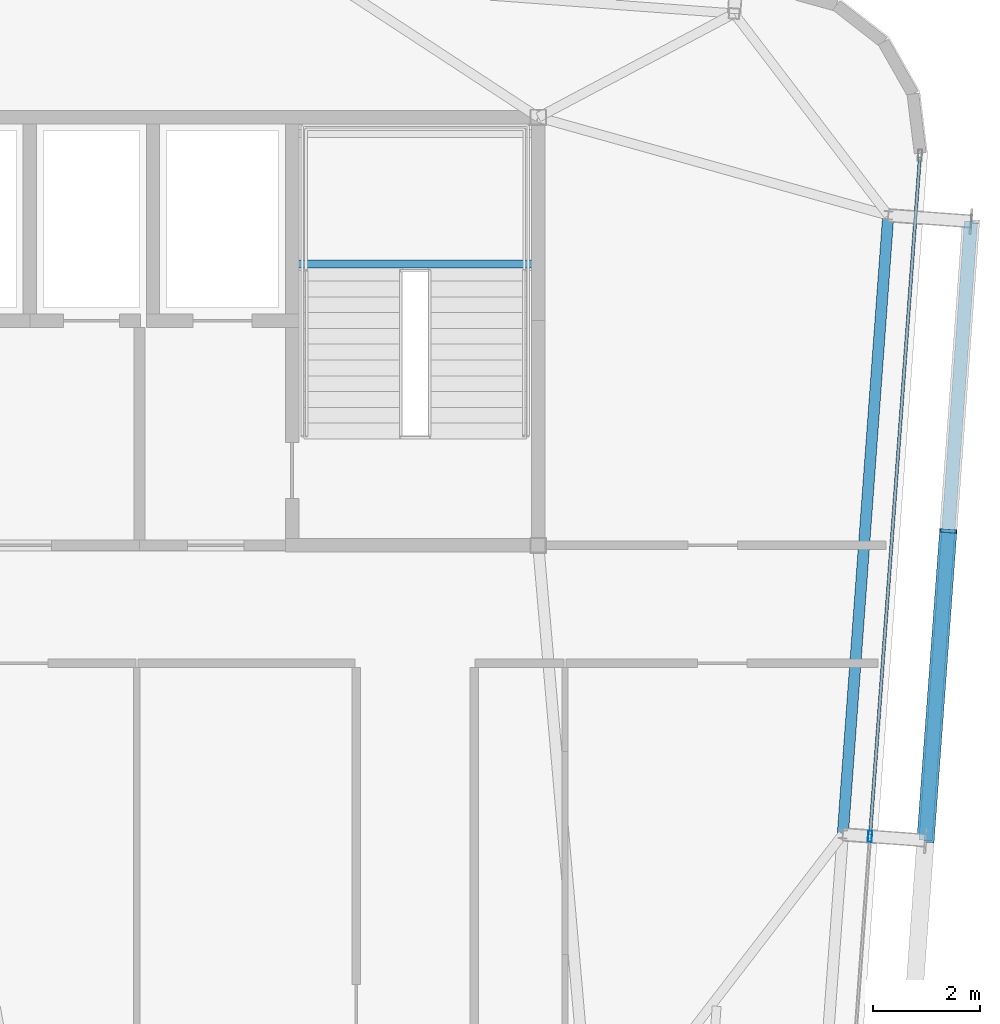
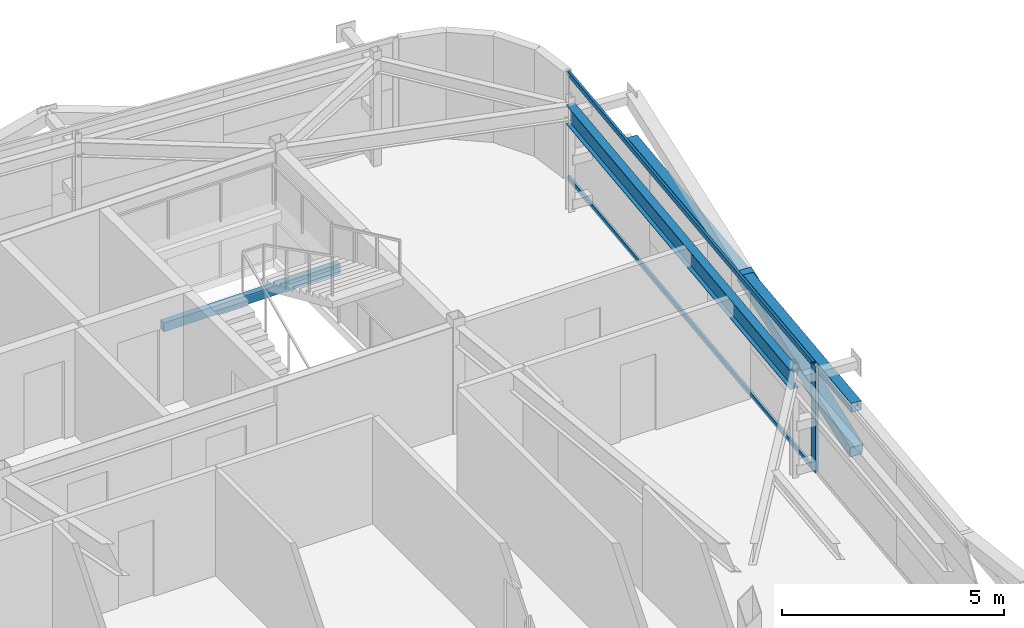
# One storey, part 17 of 34: 5 members, 2 beams, 1 element without a shape of its own.
"""IFC4 building model written with IfcOpenShell, lengths in metres."""

from ifc_helpers import new_model, si_unit, direction, frame, origin, origin_2d, place, context, subcontext, project, spatial, hollow_rectangle, i_section, extrude, source, transform, mapped, material, layer, layer_set, material_profile, profile_set, type_object, element, aggregate, save


model = new_model("IFC4")

# Units and contexts
model_context = context("Model", 3, precision=1e-05, world=origin(), true_north=direction((0.0, 1.0)))
body_context = subcontext(model_context, "Body", "Model", "MODEL_VIEW")
ifc_project = project(units=[si_unit("LENGTHUNIT", "METRE"), si_unit("AREAUNIT", "SQUARE_METRE"), si_unit("VOLUMEUNIT", "CUBIC_METRE"), si_unit("PLANEANGLEUNIT", "RADIAN"), si_unit("MASSUNIT", "GRAM", prefix="KILO")], contexts=[model_context])

# Site, building, storey
site_placement = place(None, origin())
site = spatial("IfcSite", under=ifc_project, at=site_placement, CompositionType="ELEMENT")
building_placement = place(site_placement, origin())
building = spatial("IfcBuilding", under=site, at=building_placement, Name="Taldren Reach Tower", CompositionType="ELEMENT")
storey_placement = place(building_placement, frame((0.0, 0.0, 239.75)))
storey = spatial("IfcBuildingStorey", under=building, at=storey_placement, Name="L73", CompositionType="ELEMENT", Elevation=239.75)

# Beam
ifc_material_1 = material(Name="Steel Gr 350 (350PLUS)", Category="steel")
ifc_material_profile_1 = material_profile(ifc_material_1, i_section(OverallWidth=0.208984375, OverallDepth=0.528076171875, WebThickness=0.009521484375, FlangeThickness=0.01318359375, at=origin_2d()), Name="530UB82.0")
ifc_profile_set_1 = profile_set([ifc_material_profile_1], Name="Steel Gr 350 (350PLUS)")
beam_type_1 = type_object("IfcBeamType", Name="SP-UB530B", PredefinedType="SPANDREL", material=ifc_profile_set_1)
shared_shape_1 = source(origin(), body_context, "Body", "SweptSolid", [
    extrude(i_section(OverallWidth=0.208984375, OverallDepth=0.528076171875, WebThickness=0.009521484375, FlangeThickness=0.01318359375, at=origin_2d()), origin(), (0.0, 0.0, 1.0), 11.60009765625),
])
beam_1_placement = place(storey_placement, frame((56.69140625, 18.599853515625, 2.666015625), z_axis=(0.073221234109, 0.997315722766, 0.0), x_axis=(-0.997315722766, 0.073221234109, 0.0)))
element("IfcBeam", 1, at=beam_1_placement, inside=storey, type_object=beam_type_1, Name="Perimeter spandrel B5 E2-E3 L73", PredefinedType="SPANDREL", context=body_context, shape_type="MappedRepresentation", body=[
    mapped(shared_shape_1, transform((0.0, 0.0, 0.0), scale=1.0)),
])

# Members
ifc_material_2 = material(Name="Steel Gr 450 (C450L0)", Category="steel")
ifc_material_profile_2 = material_profile(ifc_material_2, hollow_rectangle(XDim=0.324951171875, YDim=0.324951171875, WallThickness=0.0126953125, at=origin_2d()), Name="325x325x12.7SHS")
ifc_profile_set_2 = profile_set([ifc_material_profile_2], Name="Steel Gr 450 (C450L0)")
member_type_1 = type_object("IfcMemberType", Name="MB-BR324", PredefinedType="BRACE", material=ifc_profile_set_2)
shared_shape_2 = source(origin(), body_context, "Body", "SweptSolid", [
    extrude(hollow_rectangle(XDim=0.324951171875, YDim=0.324951171875, WallThickness=0.0126953125, at=origin_2d()), origin(), (0.0, 0.0, 1.0), 5.926025390625),
])
member_1_placement = place(storey_placement, frame((58.237060546875, 18.486328125, 0.219970703125), z_axis=(0.071685935393, 0.976123486939, 0.205046494513), x_axis=(-0.997314185625, 0.073242167855, 0.0)))
element("IfcMember", 2, at=member_1_placement, inside=storey, type_object=member_type_1, Name="Exoskeleton Diagrid Brace B5-E2 L73", PredefinedType="BRACE", context=body_context, shape_type="MappedRepresentation", body=[
    mapped(shared_shape_2, transform((0.0, 0.0, 0.0), scale=1.0)),
])
ifc_material_3 = material(Name="Steel Gr 350 (C350L0)", Category="steel")
ifc_material_profile_3 = material_profile(ifc_material_3, hollow_rectangle(XDim=0.25, YDim=0.25, WallThickness=0.010009765625, at=origin_2d()), Name="250x250x10.0SHS")
ifc_profile_set_3 = profile_set([ifc_material_profile_3], Name="Steel Gr 350 (C350L0)")
member_type_2 = type_object("IfcMemberType", Name="MB-POST250", PredefinedType="POST", material=ifc_profile_set_3)
shared_shape_3 = source(origin(), body_context, "Body", "SweptSolid", [
    extrude(hollow_rectangle(XDim=0.25, YDim=0.25, WallThickness=0.010009765625, at=origin_2d()), origin(), (0.0, 0.0, 1.0), 11.60009765625),
])
member_2_placement = place(storey_placement, frame((58.237060546875, 18.486328125, 1.43505859375), z_axis=(0.073242167855, 0.997314185625, 0.0), x_axis=(-0.997314185625, 0.073242167855, 0.0)))
element("IfcMember", 3, at=member_2_placement, inside=storey, type_object=member_type_2, Name="Exoskeleton mid-height ring chord B5-E2 L73", PredefinedType="POST", context=body_context, shape_type="MappedRepresentation", body=[
    mapped(shared_shape_3, transform((0.0, 0.0, 0.0), scale=1.0)),
])

# Curtain wall, members
ifc_material_4 = material(Name="Aluminium and Low-E Glass Unitised System", Category="aluminium")
ifc_layer = layer(ifc_material_4, 0.159912109375)
ifc_layer_set = layer_set([ifc_layer], Name="Aluminium and Low-E Glass Unitised System")
curtain_wall_type = type_object("IfcCurtainWallType", Name="CW-SYS-6", PredefinedType="NOTDEFINED", material=ifc_layer_set)
curtain_wall_placement = place(storey_placement, origin())
curtain_wall = element("IfcCurtainWall", 4, at=curtain_wall_placement, inside=storey, type_object=curtain_wall_type, Name="Unitised curtain wall CW-L73-E", PredefinedType="NOTDEFINED")
ifc_material_5 = material(Name="Anodised Aluminium 6063-T6", Category="aluminium")
ifc_material_profile_4 = material_profile(ifc_material_5, hollow_rectangle(XDim=0.06005859375, YDim=0.135009765625, WallThickness=0.00341796875, at=origin_2d()), Name="ALU-135x60x3.5RHS")
ifc_profile_set_4 = profile_set([ifc_material_profile_4], Name="Anodised Aluminium 6063-T6")
member_type_3 = type_object("IfcMemberType", Name="CW-TRN-150", PredefinedType="USERDEFINED", material=ifc_profile_set_4)
shared_shape_4 = source(origin(), body_context, "Body", "SweptSolid", [
    extrude(hollow_rectangle(XDim=0.06005859375, YDim=0.135009765625, WallThickness=0.00341796875, at=origin_2d()), origin(), (0.0, 0.0, 1.0), 12.6875),
])
member_3_placement = place(storey_placement, frame((57.20263671875, 18.599853515625, 0.030029296875), z_axis=(0.073237997916, 0.997314491854, 0.0), x_axis=(-0.997314491854, 0.073237997916, 0.0)))
member_3 = element("IfcMember", 5, at=member_3_placement, type_object=member_type_3, Name="CW-6 transom 2.1", ObjectType="TRANSOM", PredefinedType="USERDEFINED", context=body_context, shape_type="MappedRepresentation", body=[
    mapped(shared_shape_4, transform((0.0, 0.0, 0.0), scale=1.0)),
])
member_4_placement = place(storey_placement, frame((57.20263671875, 18.599853515625, 2.89990234375), z_axis=(0.073237997916, 0.997314491854, 0.0), x_axis=(-0.997314491854, 0.073237997916, 0.0)))
member_4 = element("IfcMember", 6, at=member_4_placement, type_object=member_type_3, Name="CW-6 transom 2.2", ObjectType="TRANSOM", PredefinedType="USERDEFINED", context=body_context, shape_type="MappedRepresentation", body=[
    mapped(shared_shape_4, transform((0.0, 0.0, 0.0), scale=1.0)),
])
ifc_material_profile_5 = material_profile(ifc_material_5, hollow_rectangle(XDim=0.074951171875, YDim=0.2099609375, WallThickness=0.00439453125, at=origin_2d()), Name="ALU-210x75x4.5RHS")
ifc_profile_set_5 = profile_set([ifc_material_profile_5], Name="Anodised Aluminium 6063-T6")
member_type_4 = type_object("IfcMemberType", Name="CW-MUL-200", PredefinedType="MULLION", material=ifc_profile_set_5)
shared_shape_5 = source(origin(), body_context, "Body", "SweptSolid", [
    extrude(hollow_rectangle(XDim=0.074951171875, YDim=0.2099609375, WallThickness=0.00439453125, at=origin_2d()), origin(), (0.0, 0.0, 1.0), 2.929931640625),
])
member_5_placement = place(storey_placement, frame((57.199951171875, 18.5625, 0.0), z_axis=(0.0, 0.0, 1.0), x_axis=(-0.997314470951, 0.073238282558, 0.0)))
member_5 = element("IfcMember", 7, at=member_5_placement, type_object=member_type_4, Name="CW-6 mullion 2", PredefinedType="MULLION", context=body_context, shape_type="MappedRepresentation", body=[
    mapped(shared_shape_5, transform((0.0, 0.0, 0.0), scale=1.0)),
])
aggregate(curtain_wall, [member_5, member_3, member_4])

# Beam
ifc_material_profile_6 = material_profile(ifc_material_3, hollow_rectangle(XDim=0.14990234375, YDim=0.25, WallThickness=0.009033203125, at=origin_2d()), Name="250x150x9.0RHS")
ifc_profile_set_6 = profile_set([ifc_material_profile_6], Name="Steel Gr 350 (C350L0)")
beam_type_2 = type_object("IfcBeamType", Name="LN-RHS250", PredefinedType="LINTEL", material=ifc_profile_set_6)
shared_shape_6 = source(origin(), body_context, "Body", "SweptSolid", [
    extrude(hollow_rectangle(XDim=0.14990234375, YDim=0.25, WallThickness=0.009033203125, at=origin_2d()), origin(), (0.0, 0.0, 1.0), 4.60009765625),
])
beam_2_placement = place(storey_placement, frame((46.39990234375, 29.2548828125, 1.27001953125), z_axis=(1.0, 0.0, 0.0), x_axis=(0.0, 1.0, 0.0)))
element("IfcBeam", 8, at=beam_2_placement, inside=storey, type_object=beam_type_2, Name="Stair half-landing support beam ST2-L73-1", PredefinedType="LINTEL", context=body_context, shape_type="MappedRepresentation", body=[
    mapped(shared_shape_6, transform((0.0, 0.0, 0.0), scale=1.0)),
])

save(model, "model.ifc")
